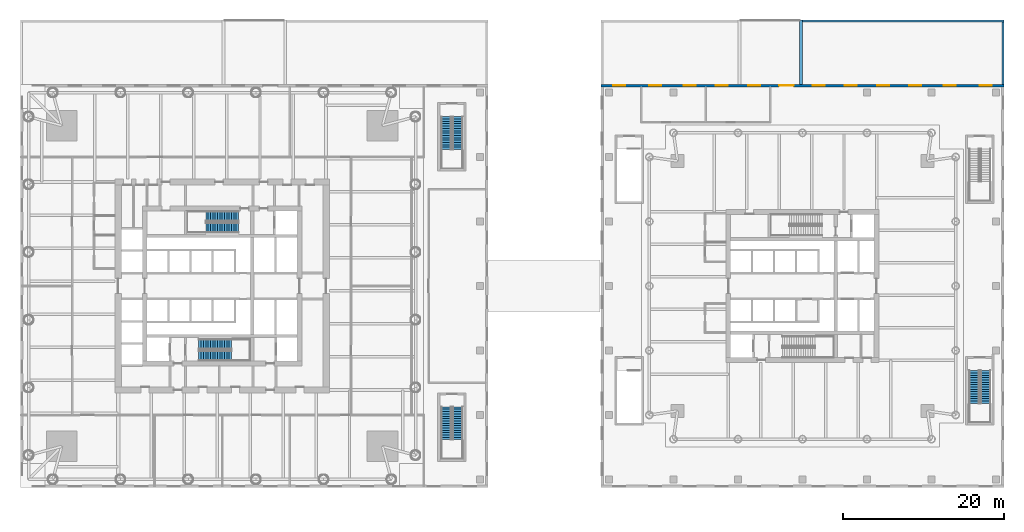
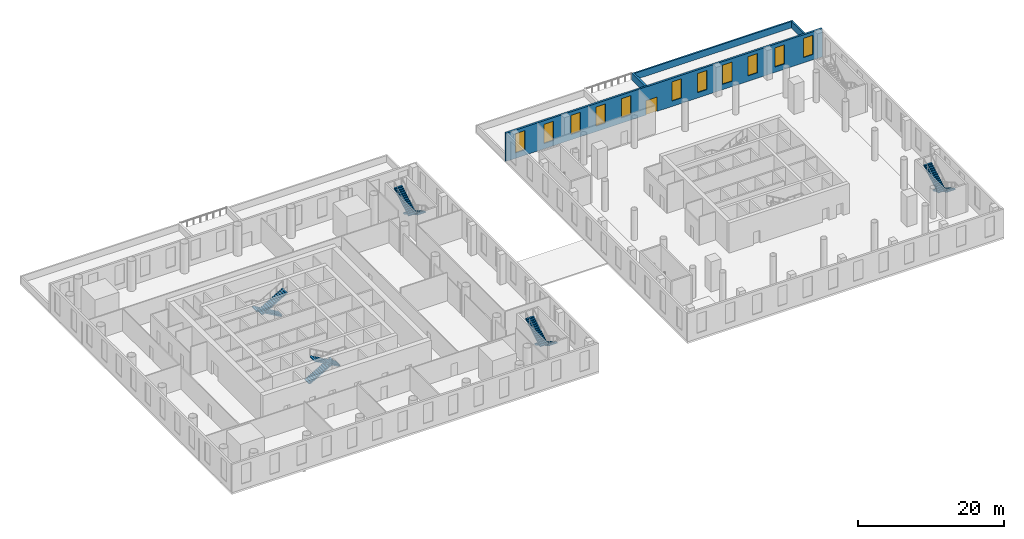
# One storey, part 13 of 16: 11 windows, 10 stair flights, 4 walls, 1 door, 12 openings, 5 elements without a shape of their own.
"""IFC4 building model written with IfcOpenShell, lengths in metres."""

from ifc_helpers import new_model, si_unit, direction, frame, frame_2d, origin, place, context, subcontext, project, spatial, polyline, rectangle, outline, extrude, material, layer, layer_set, type_object, element, fill, aggregate, save


model = new_model("IFC4")

# Units and contexts
model_context = context("Model", 3, precision=1e-05, world=origin(), true_north=direction((0.0, 1.0)))
body_context = subcontext(model_context, "Body", "Model", "MODEL_VIEW")
ifc_project = project(units=[si_unit("LENGTHUNIT", "METRE"), si_unit("AREAUNIT", "SQUARE_METRE"), si_unit("VOLUMEUNIT", "CUBIC_METRE"), si_unit("PLANEANGLEUNIT", "RADIAN"), si_unit("MASSUNIT", "GRAM", prefix="KILO")], contexts=[model_context])

# Site, building, storey
site_placement = place(None, origin())
site = spatial("IfcSite", under=ifc_project, at=site_placement, CompositionType="ELEMENT")
building_placement = place(site_placement, origin())
building = spatial("IfcBuilding", under=site, at=building_placement, Name="Ostroluk Exchange", CompositionType="ELEMENT")
storey_placement = place(building_placement, frame((0.0, 0.0, 16.0)))
storey = spatial("IfcBuildingStorey", under=building, at=storey_placement, Name="L03", CompositionType="ELEMENT", Elevation=16.0)

# Walls
ifc_material_1 = material(Name="Limestone", Category="masonry")
ifc_layer_1 = layer(ifc_material_1, 0.25)
ifc_layer_set_1 = layer_set([ifc_layer_1], Name="Green roof parapet 250")
wall_type_1 = type_object("IfcWallType", Name="Green roof parapet 250", PredefinedType="PARAPET", material=ifc_layer_set_1)
wall_1_placement = place(storey_placement, frame((117.010009765625, 78.875, 0.0), z_axis=(0.0, 0.0, 1.0), x_axis=(1.0, 0.0, 0.0)))
element("IfcWall", 1, at=wall_1_placement, inside=storey, type_object=wall_type_1, Name="Green roof parapet L03 1", PredefinedType="PARAPET", context=body_context, shape_type="SweptSolid", body=[
    extrude(rectangle(XDim=24.989990234375, YDim=0.25, at=frame_2d((12.4951171875, 0.0))), origin(), (0.0, 0.0, 1.0), 1.10009765625),
])
wall_2_placement = place(storey_placement, frame((141.875, 71.010009765625, 0.0), z_axis=(0.0, 0.0, 1.0), x_axis=(0.0, 1.0, 0.0)))
element("IfcWall", 2, at=wall_2_placement, inside=storey, type_object=wall_type_1, Name="Green roof parapet L03 2", PredefinedType="PARAPET", context=body_context, shape_type="SweptSolid", body=[
    extrude(rectangle(XDim=7.739990234375, YDim=0.25, at=frame_2d((3.8701171875, 0.0))), origin(), (0.0, 0.0, 1.0), 1.10009765625),
])

# Wall, openings, windows, door
ifc_material_2 = material(Name="Limestone", Category="masonry")
ifc_layer_2 = layer(ifc_material_2, 0.300048828125)
ifc_layer_set_2 = layer_set([ifc_layer_2], Name="Limestone facade wall 300")
wall_type_2 = type_object("IfcWallType", Name="Limestone facade wall 300", PredefinedType="SOLIDWALL", material=ifc_layer_set_2)
wall_3_placement = place(storey_placement, frame((142.0, 70.85009765625, 0.0), z_axis=(0.0, 0.0, 1.0), x_axis=(-1.0, 0.0, 0.0)))
wall_3 = element("IfcWall", 3, at=wall_3_placement, inside=storey, type_object=wall_type_2, Name="Podium east N wall L03 1a", PredefinedType="SOLIDWALL", context=body_context, shape_type="SweptSolid", body=[
    extrude(rectangle(XDim=50.0, YDim=0.300048828125, at=frame_2d((25.0, 0.0))), origin(), (0.0, 0.0, 1.0), 4.699951171875),
])
opening_1_placement = place(wall_3_placement, frame((1.5, 0.0, 0.89990234375)))
opening_1 = element("IfcOpeningElement", 4, at=opening_1_placement, cuts=wall_3, Name="Opening WN-L2", PredefinedType="OPENING", context=body_context, shape_type="SweptSolid", body=[
    extrude(rectangle(XDim=1.5, YDim=3.199951171875, at=frame_2d((0.75, 1.60009765625))), frame((0.0, 0.159912109375, 0.0), z_axis=(0.0, -1.0, 0.0), x_axis=(1.0, 0.0, 0.0)), (0.0, 0.0, 1.0), 0.320068359375),
])
opening_2_placement = place(wall_3_placement, frame((6.0, 0.0, 0.89990234375)))
opening_2 = element("IfcOpeningElement", 5, at=opening_2_placement, cuts=wall_3, Name="Opening WN-L2", PredefinedType="OPENING", context=body_context, shape_type="SweptSolid", body=[
    extrude(rectangle(XDim=1.5, YDim=3.199951171875, at=frame_2d((0.75, 1.60009765625))), frame((0.0, 0.159912109375, 0.0), z_axis=(0.0, -1.0, 0.0), x_axis=(1.0, 0.0, 0.0)), (0.0, 0.0, 1.0), 0.320068359375),
])
opening_3_placement = place(wall_3_placement, frame((10.25, 0.0, 0.89990234375)))
opening_3 = element("IfcOpeningElement", 6, at=opening_3_placement, cuts=wall_3, Name="Opening WN-L2", PredefinedType="OPENING", context=body_context, shape_type="SweptSolid", body=[
    extrude(rectangle(XDim=1.5, YDim=3.199951171875, at=frame_2d((0.75, 1.60009765625))), frame((0.0, 0.159912109375, 0.0), z_axis=(0.0, -1.0, 0.0), x_axis=(1.0, 0.0, 0.0)), (0.0, 0.0, 1.0), 0.320068359375),
])
opening_4_placement = place(wall_3_placement, frame((14.25, 0.0, 0.89990234375)))
opening_4 = element("IfcOpeningElement", 7, at=opening_4_placement, cuts=wall_3, Name="Opening WN-L2", PredefinedType="OPENING", context=body_context, shape_type="SweptSolid", body=[
    extrude(rectangle(XDim=1.5, YDim=3.199951171875, at=frame_2d((0.75, 1.60009765625))), frame((0.0, 0.159912109375, 0.0), z_axis=(0.0, -1.0, 0.0), x_axis=(1.0, 0.0, 0.0)), (0.0, 0.0, 1.0), 0.320068359375),
])
opening_5_placement = place(wall_3_placement, frame((18.25, 0.0, 0.89990234375)))
opening_5 = element("IfcOpeningElement", 8, at=opening_5_placement, cuts=wall_3, Name="Opening WN-L2", PredefinedType="OPENING", context=body_context, shape_type="SweptSolid", body=[
    extrude(rectangle(XDim=1.5, YDim=3.199951171875, at=frame_2d((0.75, 1.60009765625))), frame((0.0, 0.159912109375, 0.0), z_axis=(0.0, -1.0, 0.0), x_axis=(1.0, 0.0, 0.0)), (0.0, 0.0, 1.0), 0.320068359375),
])
opening_6_placement = place(wall_3_placement, frame((22.25, 0.0, 0.89990234375)))
opening_6 = element("IfcOpeningElement", 9, at=opening_6_placement, cuts=wall_3, Name="Opening WN-L2", PredefinedType="OPENING", context=body_context, shape_type="SweptSolid", body=[
    extrude(rectangle(XDim=1.5, YDim=3.199951171875, at=frame_2d((0.75, 1.60009765625))), frame((0.0, 0.159912109375, 0.0), z_axis=(0.0, -1.0, 0.0), x_axis=(1.0, 0.0, 0.0)), (0.0, 0.0, 1.0), 0.320068359375),
])
opening_7_placement = place(wall_3_placement, frame((26.10009765625, 0.0, 0.0)))
opening_7 = element("IfcOpeningElement", 10, at=opening_7_placement, cuts=wall_3, Name="Opening D-T1", PredefinedType="OPENING", context=body_context, shape_type="SweptSolid", body=[
    extrude(rectangle(XDim=1.800048828125, YDim=2.39990234375, at=frame_2d((0.89990234375, 1.199951171875))), frame((0.0, 0.159912109375, 0.0), z_axis=(0.0, -1.0, 0.0), x_axis=(1.0, 0.0, 0.0)), (0.0, 0.0, 1.0), 0.320068359375),
])
opening_8_placement = place(wall_3_placement, frame((30.25, 0.0, 0.89990234375)))
opening_8 = element("IfcOpeningElement", 11, at=opening_8_placement, cuts=wall_3, Name="Opening WN-L2", PredefinedType="OPENING", context=body_context, shape_type="SweptSolid", body=[
    extrude(rectangle(XDim=1.5, YDim=3.199951171875, at=frame_2d((0.75, 1.60009765625))), frame((0.0, 0.159912109375, 0.0), z_axis=(0.0, -1.0, 0.0), x_axis=(1.0, 0.0, 0.0)), (0.0, 0.0, 1.0), 0.320068359375),
])
opening_9_placement = place(wall_3_placement, frame((34.25, 0.0, 0.89990234375)))
opening_9 = element("IfcOpeningElement", 12, at=opening_9_placement, cuts=wall_3, Name="Opening WN-L2", PredefinedType="OPENING", context=body_context, shape_type="SweptSolid", body=[
    extrude(rectangle(XDim=1.5, YDim=3.199951171875, at=frame_2d((0.75, 1.60009765625))), frame((0.0, 0.159912109375, 0.0), z_axis=(0.0, -1.0, 0.0), x_axis=(1.0, 0.0, 0.0)), (0.0, 0.0, 1.0), 0.320068359375),
])
opening_10_placement = place(wall_3_placement, frame((38.25, 0.0, 0.89990234375)))
opening_10 = element("IfcOpeningElement", 13, at=opening_10_placement, cuts=wall_3, Name="Opening WN-L2", PredefinedType="OPENING", context=body_context, shape_type="SweptSolid", body=[
    extrude(rectangle(XDim=1.5, YDim=3.199951171875, at=frame_2d((0.75, 1.60009765625))), frame((0.0, 0.159912109375, 0.0), z_axis=(0.0, -1.0, 0.0), x_axis=(1.0, 0.0, 0.0)), (0.0, 0.0, 1.0), 0.320068359375),
])
opening_11_placement = place(wall_3_placement, frame((42.5, 0.0, 0.89990234375)))
opening_11 = element("IfcOpeningElement", 14, at=opening_11_placement, cuts=wall_3, Name="Opening WN-L2", PredefinedType="OPENING", context=body_context, shape_type="SweptSolid", body=[
    extrude(rectangle(XDim=1.5, YDim=3.199951171875, at=frame_2d((0.75, 1.60009765625))), frame((0.0, 0.159912109375, 0.0), z_axis=(0.0, -1.0, 0.0), x_axis=(1.0, 0.0, 0.0)), (0.0, 0.0, 1.0), 0.320068359375),
])
opening_12_placement = place(wall_3_placement, frame((47.0, 0.0, 0.89990234375)))
opening_12 = element("IfcOpeningElement", 15, at=opening_12_placement, cuts=wall_3, Name="Opening WN-L2", PredefinedType="OPENING", context=body_context, shape_type="SweptSolid", body=[
    extrude(rectangle(XDim=1.5, YDim=3.199951171875, at=frame_2d((0.75, 1.60009765625))), frame((0.0, 0.159912109375, 0.0), z_axis=(0.0, -1.0, 0.0), x_axis=(1.0, 0.0, 0.0)), (0.0, 0.0, 1.0), 0.320068359375),
])
ifc_material_3 = material(Name="Laminated clear glass", Category="glass")
window_type = type_object("IfcWindowType", Name="Podium lancet window 1500 x 3200", PartitioningType="DOUBLE_PANEL_VERTICAL", PredefinedType="WINDOW", material=ifc_material_3)
window_1_placement = place(opening_1_placement, origin())
window_1 = element("IfcWindow", 16, at=window_1_placement, inside=storey, type_object=window_type, Name="Podium east lancet window N L03 1.1", OverallHeight=3.199951171875, OverallWidth=1.5, PartitioningType="SINGLE_PANEL", PredefinedType="WINDOW", context=body_context, shape_type="SweptSolid", body=[
    extrude(rectangle(XDim=1.5, YDim=3.199951171875, at=frame_2d((0.75, 1.60009765625))), frame((0.0, 0.030029296875, 0.0), z_axis=(0.0, -1.0, 0.0), x_axis=(1.0, 0.0, 0.0)), (0.0, 0.0, 1.0), 0.06005859375),
])
fill(opening_1, window_1)
window_2_placement = place(opening_2_placement, origin())
window_2 = element("IfcWindow", 17, at=window_2_placement, inside=storey, type_object=window_type, Name="Podium east lancet window N L03 1.2", OverallHeight=3.199951171875, OverallWidth=1.5, PartitioningType="SINGLE_PANEL", PredefinedType="WINDOW", context=body_context, shape_type="SweptSolid", body=[
    extrude(rectangle(XDim=1.5, YDim=3.199951171875, at=frame_2d((0.75, 1.60009765625))), frame((0.0, 0.030029296875, 0.0), z_axis=(0.0, -1.0, 0.0), x_axis=(1.0, 0.0, 0.0)), (0.0, 0.0, 1.0), 0.06005859375),
])
fill(opening_2, window_2)
window_3_placement = place(opening_3_placement, origin())
window_3 = element("IfcWindow", 18, at=window_3_placement, inside=storey, type_object=window_type, Name="Podium east lancet window N L03 2.1", OverallHeight=3.199951171875, OverallWidth=1.5, PartitioningType="SINGLE_PANEL", PredefinedType="WINDOW", context=body_context, shape_type="SweptSolid", body=[
    extrude(rectangle(XDim=1.5, YDim=3.199951171875, at=frame_2d((0.75, 1.60009765625))), frame((0.0, 0.030029296875, 0.0), z_axis=(0.0, -1.0, 0.0), x_axis=(1.0, 0.0, 0.0)), (0.0, 0.0, 1.0), 0.06005859375),
])
fill(opening_3, window_3)
window_4_placement = place(opening_4_placement, origin())
window_4 = element("IfcWindow", 19, at=window_4_placement, inside=storey, type_object=window_type, Name="Podium east lancet window N L03 2.2", OverallHeight=3.199951171875, OverallWidth=1.5, PartitioningType="SINGLE_PANEL", PredefinedType="WINDOW", context=body_context, shape_type="SweptSolid", body=[
    extrude(rectangle(XDim=1.5, YDim=3.199951171875, at=frame_2d((0.75, 1.60009765625))), frame((0.0, 0.030029296875, 0.0), z_axis=(0.0, -1.0, 0.0), x_axis=(1.0, 0.0, 0.0)), (0.0, 0.0, 1.0), 0.06005859375),
])
fill(opening_4, window_4)
window_5_placement = place(opening_5_placement, origin())
window_5 = element("IfcWindow", 20, at=window_5_placement, inside=storey, type_object=window_type, Name="Podium east lancet window N L03 3.1", OverallHeight=3.199951171875, OverallWidth=1.5, PartitioningType="SINGLE_PANEL", PredefinedType="WINDOW", context=body_context, shape_type="SweptSolid", body=[
    extrude(rectangle(XDim=1.5, YDim=3.199951171875, at=frame_2d((0.75, 1.60009765625))), frame((0.0, 0.030029296875, 0.0), z_axis=(0.0, -1.0, 0.0), x_axis=(1.0, 0.0, 0.0)), (0.0, 0.0, 1.0), 0.06005859375),
])
fill(opening_5, window_5)
window_6_placement = place(opening_6_placement, origin())
window_6 = element("IfcWindow", 21, at=window_6_placement, inside=storey, type_object=window_type, Name="Podium east lancet window N L03 3.2", OverallHeight=3.199951171875, OverallWidth=1.5, PartitioningType="SINGLE_PANEL", PredefinedType="WINDOW", context=body_context, shape_type="SweptSolid", body=[
    extrude(rectangle(XDim=1.5, YDim=3.199951171875, at=frame_2d((0.75, 1.60009765625))), frame((0.0, 0.030029296875, 0.0), z_axis=(0.0, -1.0, 0.0), x_axis=(1.0, 0.0, 0.0)), (0.0, 0.0, 1.0), 0.06005859375),
])
fill(opening_6, window_6)
window_7_placement = place(opening_8_placement, origin())
window_7 = element("IfcWindow", 22, at=window_7_placement, inside=storey, type_object=window_type, Name="Podium east lancet window N L03 4.2", OverallHeight=3.199951171875, OverallWidth=1.5, PartitioningType="SINGLE_PANEL", PredefinedType="WINDOW", context=body_context, shape_type="SweptSolid", body=[
    extrude(rectangle(XDim=1.5, YDim=3.199951171875, at=frame_2d((0.75, 1.60009765625))), frame((0.0, 0.030029296875, 0.0), z_axis=(0.0, -1.0, 0.0), x_axis=(1.0, 0.0, 0.0)), (0.0, 0.0, 1.0), 0.06005859375),
])
fill(opening_8, window_7)
window_8_placement = place(opening_9_placement, origin())
window_8 = element("IfcWindow", 23, at=window_8_placement, inside=storey, type_object=window_type, Name="Podium east lancet window N L03 5.1", OverallHeight=3.199951171875, OverallWidth=1.5, PartitioningType="SINGLE_PANEL", PredefinedType="WINDOW", context=body_context, shape_type="SweptSolid", body=[
    extrude(rectangle(XDim=1.5, YDim=3.199951171875, at=frame_2d((0.75, 1.60009765625))), frame((0.0, 0.030029296875, 0.0), z_axis=(0.0, -1.0, 0.0), x_axis=(1.0, 0.0, 0.0)), (0.0, 0.0, 1.0), 0.06005859375),
])
fill(opening_9, window_8)
window_9_placement = place(opening_10_placement, origin())
window_9 = element("IfcWindow", 24, at=window_9_placement, inside=storey, type_object=window_type, Name="Podium east lancet window N L03 5.2", OverallHeight=3.199951171875, OverallWidth=1.5, PartitioningType="SINGLE_PANEL", PredefinedType="WINDOW", context=body_context, shape_type="SweptSolid", body=[
    extrude(rectangle(XDim=1.5, YDim=3.199951171875, at=frame_2d((0.75, 1.60009765625))), frame((0.0, 0.030029296875, 0.0), z_axis=(0.0, -1.0, 0.0), x_axis=(1.0, 0.0, 0.0)), (0.0, 0.0, 1.0), 0.06005859375),
])
fill(opening_10, window_9)
window_10_placement = place(opening_11_placement, origin())
window_10 = element("IfcWindow", 25, at=window_10_placement, inside=storey, type_object=window_type, Name="Podium east lancet window N L03 6.1", OverallHeight=3.199951171875, OverallWidth=1.5, PartitioningType="SINGLE_PANEL", PredefinedType="WINDOW", context=body_context, shape_type="SweptSolid", body=[
    extrude(rectangle(XDim=1.5, YDim=3.199951171875, at=frame_2d((0.75, 1.60009765625))), frame((0.0, 0.030029296875, 0.0), z_axis=(0.0, -1.0, 0.0), x_axis=(1.0, 0.0, 0.0)), (0.0, 0.0, 1.0), 0.06005859375),
])
fill(opening_11, window_10)
window_11_placement = place(opening_12_placement, origin())
window_11 = element("IfcWindow", 26, at=window_11_placement, inside=storey, type_object=window_type, Name="Podium east lancet window N L03 6.2", OverallHeight=3.199951171875, OverallWidth=1.5, PartitioningType="SINGLE_PANEL", PredefinedType="WINDOW", context=body_context, shape_type="SweptSolid", body=[
    extrude(rectangle(XDim=1.5, YDim=3.199951171875, at=frame_2d((0.75, 1.60009765625))), frame((0.0, 0.030029296875, 0.0), z_axis=(0.0, -1.0, 0.0), x_axis=(1.0, 0.0, 0.0)), (0.0, 0.0, 1.0), 0.06005859375),
])
fill(opening_12, window_11)
ifc_material_4 = material(Name="Bronze framed glazed door", Category="aluminium")
door_type = type_object("IfcDoorType", Name="Terrace double door 1800 x 2400", OperationType="DOUBLE_DOOR_SINGLE_SWING", PredefinedType="DOOR", material=ifc_material_4)
door_placement = place(opening_7_placement, origin())
door = element("IfcDoor", 27, at=door_placement, inside=storey, type_object=door_type, Name="Podium east terrace door N L03 4", OperationType="DOUBLE_DOOR_SINGLE_SWING", OverallHeight=2.39990234375, OverallWidth=1.800048828125, PredefinedType="DOOR", context=body_context, shape_type="SweptSolid", body=[
    extrude(rectangle(XDim=1.800048828125, YDim=2.39990234375, at=frame_2d((0.89990234375, 1.199951171875))), frame((0.0, 0.02490234375, 0.0), z_axis=(0.0, -1.0, 0.0), x_axis=(1.0, 0.0, 0.0)), (0.0, 0.0, 1.0), 0.050048828125),
])
fill(opening_7, door)

# Wall
ifc_material_5 = material(Name="Limestone", Category="masonry")
ifc_layer_3 = layer(ifc_material_5, 0.35009765625)
ifc_layer_set_3 = layer_set([ifc_layer_3], Name="Planter wall 350")
wall_type_3 = type_object("IfcWallType", Name="Planter wall 350", PredefinedType="PARAPET", material=ifc_layer_set_3)
wall_4_placement = place(storey_placement, frame((116.824951171875, 71.0, 0.0), z_axis=(0.0, 0.0, 1.0), x_axis=(0.0, 1.0, 0.0)))
element("IfcWall", 28, at=wall_4_placement, inside=storey, type_object=wall_type_3, Name="Terrace planter wall L03 2", PredefinedType="PARAPET", context=body_context, shape_type="SweptSolid", body=[
    extrude(rectangle(XDim=8.0, YDim=0.35009765625, at=frame_2d((4.0, 0.0))), origin(), (0.0, 0.0, 1.0), 1.10009765625),
])

# Stair, stair flights
ifc_material_6 = material(Name="Concrete C30/37", Category="concrete")
stair_type = type_object("IfcStairType", Name="Exit stair half turn 5000", PredefinedType="HALF_TURN_STAIR", material=ifc_material_6)
stair_1_placement = place(storey_placement, origin())
stair_1 = element("IfcStair", 29, at=stair_1_placement, inside=storey, type_object=stair_type, Name="Stair T1-S1 L03", PredefinedType="HALF_TURN_STAIR")
ifc_material_7 = material(Name="Concrete C30/37", Category="concrete")
stair_flight_type = type_object("IfcStairFlightType", Name="Stair flight 15 risers 166.7 x 290", PredefinedType="STRAIGHT", material=ifc_material_7)
stair_flight_1_placement = place(storey_placement, frame((42.10009765625, 38.77490234375, 0.0), z_axis=(0.0, 0.0, 1.0), x_axis=(1.0, 0.0, 0.0)))
stair_flight_1 = element("IfcStairFlight", 30, at=stair_flight_1_placement, type_object=stair_flight_type, Name="T1-S1 flight 1", NumberOfRisers=15, NumberOfTreads=14, PredefinedType="STRAIGHT", RiserHeight=0.166666667, TreadLength=0.29, context=body_context, shape_type="SweptSolid", body=[
    extrude(outline(polyline([(0.0, 0.0), (0.0, 0.166748046875), (0.2900390625, 0.166748046875), (0.2900390625, 0.333251953125), (0.580078125, 0.333251953125), (0.580078125, 0.5), (0.8701171875, 0.5), (0.8701171875, 0.666748046875), (1.159912109375, 0.666748046875), (1.159912109375, 0.833251953125), (1.449951171875, 0.833251953125), (1.449951171875, 1.0), (1.739990234375, 1.0), (1.739990234375, 1.166748046875), (2.030029296875, 1.166748046875), (2.030029296875, 1.333251953125), (2.320068359375, 1.333251953125), (2.320068359375, 1.5), (2.610107421875, 1.5), (2.610107421875, 1.666748046875), (2.89990234375, 1.666748046875), (2.89990234375, 1.833251953125), (3.18994140625, 1.833251953125), (3.18994140625, 2.0), (3.47998046875, 2.0), (3.47998046875, 2.166748046875), (3.77001953125, 2.166748046875), (3.77001953125, 2.333251953125), (4.06005859375, 2.333251953125), (4.06005859375, 2.5), (4.06005859375, 2.160400390625), (0.30078125, 0.0), (0.0, 0.0)])), frame((0.0, 0.625, 0.0), z_axis=(0.0, -1.0, 0.0), x_axis=(1.0, 0.0, 0.0)), (0.0, 0.0, 1.0), 1.25),
])
stair_flight_2_placement = place(storey_placement, frame((46.159912109375, 37.324951171875, 2.5), z_axis=(0.0, 0.0, 1.0), x_axis=(-1.0, 0.0, 0.0)))
stair_flight_2 = element("IfcStairFlight", 31, at=stair_flight_2_placement, type_object=stair_flight_type, Name="T1-S1 flight 2", NumberOfRisers=15, NumberOfTreads=14, PredefinedType="STRAIGHT", RiserHeight=0.166666667, TreadLength=0.29, context=body_context, shape_type="SweptSolid", body=[
    extrude(outline(polyline([(0.0, 0.0), (0.0, 0.166748046875), (0.2900390625, 0.166748046875), (0.2900390625, 0.333251953125), (0.580078125, 0.333251953125), (0.580078125, 0.5), (0.8701171875, 0.5), (0.8701171875, 0.666748046875), (1.159912109375, 0.666748046875), (1.159912109375, 0.833251953125), (1.449951171875, 0.833251953125), (1.449951171875, 1.0), (1.739990234375, 1.0), (1.739990234375, 1.166748046875), (2.030029296875, 1.166748046875), (2.030029296875, 1.333251953125), (2.320068359375, 1.333251953125), (2.320068359375, 1.5), (2.610107421875, 1.5), (2.610107421875, 1.666748046875), (2.89990234375, 1.666748046875), (2.89990234375, 1.833251953125), (3.18994140625, 1.833251953125), (3.18994140625, 2.0), (3.47998046875, 2.0), (3.47998046875, 2.166748046875), (3.77001953125, 2.166748046875), (3.77001953125, 2.333251953125), (4.06005859375, 2.333251953125), (4.06005859375, 2.5), (4.06005859375, 2.160400390625), (0.30078125, 0.0), (0.0, 0.0)])), frame((0.0, 0.625, 0.0), z_axis=(0.0, -1.0, 0.0), x_axis=(1.0, 0.0, 0.0)), (0.0, 0.0, 1.0), 1.25),
])
aggregate(stair_1, [stair_flight_1, stair_flight_2])

stair_2_placement = place(storey_placement, origin())
stair_2 = element("IfcStair", 32, at=stair_2_placement, inside=storey, type_object=stair_type, Name="Stair T1-S2 L03", PredefinedType="HALF_TURN_STAIR")
stair_flight_3_placement = place(storey_placement, frame((47.030029296875, 54.675048828125, 0.0), z_axis=(0.0, 0.0, 1.0), x_axis=(-1.0, 0.0, 0.0)))
stair_flight_3 = element("IfcStairFlight", 33, at=stair_flight_3_placement, type_object=stair_flight_type, Name="T1-S2 flight 1", NumberOfRisers=15, NumberOfTreads=14, PredefinedType="STRAIGHT", RiserHeight=0.166666667, TreadLength=0.29, context=body_context, shape_type="SweptSolid", body=[
    extrude(outline(polyline([(0.0, 0.0), (0.0, 0.166748046875), (0.2900390625, 0.166748046875), (0.2900390625, 0.333251953125), (0.580078125, 0.333251953125), (0.580078125, 0.5), (0.8701171875, 0.5), (0.8701171875, 0.666748046875), (1.159912109375, 0.666748046875), (1.159912109375, 0.833251953125), (1.449951171875, 0.833251953125), (1.449951171875, 1.0), (1.739990234375, 1.0), (1.739990234375, 1.166748046875), (2.030029296875, 1.166748046875), (2.030029296875, 1.333251953125), (2.320068359375, 1.333251953125), (2.320068359375, 1.5), (2.610107421875, 1.5), (2.610107421875, 1.666748046875), (2.89990234375, 1.666748046875), (2.89990234375, 1.833251953125), (3.18994140625, 1.833251953125), (3.18994140625, 2.0), (3.47998046875, 2.0), (3.47998046875, 2.166748046875), (3.77001953125, 2.166748046875), (3.77001953125, 2.333251953125), (4.06005859375, 2.333251953125), (4.06005859375, 2.5), (4.06005859375, 2.160400390625), (0.30078125, 0.0), (0.0, 0.0)])), frame((0.0, 0.625, 0.0), z_axis=(0.0, -1.0, 0.0), x_axis=(1.0, 0.0, 0.0)), (0.0, 0.0, 1.0), 1.25),
])
stair_flight_4_placement = place(storey_placement, frame((42.969970703125, 53.22509765625, 2.5), z_axis=(0.0, 0.0, 1.0), x_axis=(1.0, 0.0, 0.0)))
stair_flight_4 = element("IfcStairFlight", 34, at=stair_flight_4_placement, type_object=stair_flight_type, Name="T1-S2 flight 2", NumberOfRisers=15, NumberOfTreads=14, PredefinedType="STRAIGHT", RiserHeight=0.166666667, TreadLength=0.29, context=body_context, shape_type="SweptSolid", body=[
    extrude(outline(polyline([(0.0, 0.0), (0.0, 0.166748046875), (0.2900390625, 0.166748046875), (0.2900390625, 0.333251953125), (0.580078125, 0.333251953125), (0.580078125, 0.5), (0.8701171875, 0.5), (0.8701171875, 0.666748046875), (1.159912109375, 0.666748046875), (1.159912109375, 0.833251953125), (1.449951171875, 0.833251953125), (1.449951171875, 1.0), (1.739990234375, 1.0), (1.739990234375, 1.166748046875), (2.030029296875, 1.166748046875), (2.030029296875, 1.333251953125), (2.320068359375, 1.333251953125), (2.320068359375, 1.5), (2.610107421875, 1.5), (2.610107421875, 1.666748046875), (2.89990234375, 1.666748046875), (2.89990234375, 1.833251953125), (3.18994140625, 1.833251953125), (3.18994140625, 2.0), (3.47998046875, 2.0), (3.47998046875, 2.166748046875), (3.77001953125, 2.166748046875), (3.77001953125, 2.333251953125), (4.06005859375, 2.333251953125), (4.06005859375, 2.5), (4.06005859375, 2.160400390625), (0.30078125, 0.0), (0.0, 0.0)])), frame((0.0, 0.625, 0.0), z_axis=(0.0, -1.0, 0.0), x_axis=(1.0, 0.0, 0.0)), (0.0, 0.0, 1.0), 1.25),
])
aggregate(stair_2, [stair_flight_3, stair_flight_4])

stair_3_placement = place(storey_placement, origin())
stair_3 = element("IfcStair", 35, at=stair_3_placement, inside=storey, type_object=stair_type, Name="Stair PS3 L03", PredefinedType="HALF_TURN_STAIR")
stair_flight_5_placement = place(storey_placement, frame((74.22509765625, 31.0, 0.0), z_axis=(0.0, 0.0, 1.0), x_axis=(0.0, -1.0, 0.0)))
stair_flight_5 = element("IfcStairFlight", 36, at=stair_flight_5_placement, type_object=stair_flight_type, Name="PS3 flight 1", NumberOfRisers=15, NumberOfTreads=14, PredefinedType="STRAIGHT", RiserHeight=0.166666667, TreadLength=0.29, context=body_context, shape_type="SweptSolid", body=[
    extrude(outline(polyline([(0.0, 0.0), (0.0, 0.166748046875), (0.2900390625, 0.166748046875), (0.2900390625, 0.333251953125), (0.580078125, 0.333251953125), (0.580078125, 0.5), (0.8701171875, 0.5), (0.8701171875, 0.666748046875), (1.159912109375, 0.666748046875), (1.159912109375, 0.833251953125), (1.449951171875, 0.833251953125), (1.449951171875, 1.0), (1.739990234375, 1.0), (1.739990234375, 1.166748046875), (2.030029296875, 1.166748046875), (2.030029296875, 1.333251953125), (2.320068359375, 1.333251953125), (2.320068359375, 1.5), (2.610107421875, 1.5), (2.610107421875, 1.666748046875), (2.89990234375, 1.666748046875), (2.89990234375, 1.833251953125), (3.18994140625, 1.833251953125), (3.18994140625, 2.0), (3.47998046875, 2.0), (3.47998046875, 2.166748046875), (3.77001953125, 2.166748046875), (3.77001953125, 2.333251953125), (4.06005859375, 2.333251953125), (4.06005859375, 2.5), (4.06005859375, 2.160400390625), (0.30078125, 0.0), (0.0, 0.0)])), frame((0.0, 0.625, 0.0), z_axis=(0.0, -1.0, 0.0), x_axis=(1.0, 0.0, 0.0)), (0.0, 0.0, 1.0), 1.25),
])
stair_flight_6_placement = place(storey_placement, frame((72.77490234375, 26.93994140625, 2.5), z_axis=(0.0, 0.0, 1.0), x_axis=(0.0, 1.0, 0.0)))
stair_flight_6 = element("IfcStairFlight", 37, at=stair_flight_6_placement, type_object=stair_flight_type, Name="PS3 flight 2", NumberOfRisers=15, NumberOfTreads=14, PredefinedType="STRAIGHT", RiserHeight=0.166666667, TreadLength=0.29, context=body_context, shape_type="SweptSolid", body=[
    extrude(outline(polyline([(0.0, 0.0), (0.0, 0.166748046875), (0.2900390625, 0.166748046875), (0.2900390625, 0.333251953125), (0.580078125, 0.333251953125), (0.580078125, 0.5), (0.8701171875, 0.5), (0.8701171875, 0.666748046875), (1.159912109375, 0.666748046875), (1.159912109375, 0.833251953125), (1.449951171875, 0.833251953125), (1.449951171875, 1.0), (1.739990234375, 1.0), (1.739990234375, 1.166748046875), (2.030029296875, 1.166748046875), (2.030029296875, 1.333251953125), (2.320068359375, 1.333251953125), (2.320068359375, 1.5), (2.610107421875, 1.5), (2.610107421875, 1.666748046875), (2.89990234375, 1.666748046875), (2.89990234375, 1.833251953125), (3.18994140625, 1.833251953125), (3.18994140625, 2.0), (3.47998046875, 2.0), (3.47998046875, 2.166748046875), (3.77001953125, 2.166748046875), (3.77001953125, 2.333251953125), (4.06005859375, 2.333251953125), (4.06005859375, 2.5), (4.06005859375, 2.160400390625), (0.30078125, 0.0), (0.0, 0.0)])), frame((0.0, 0.625, 0.0), z_axis=(0.0, -1.0, 0.0), x_axis=(1.0, 0.0, 0.0)), (0.0, 0.0, 1.0), 1.25),
])
aggregate(stair_3, [stair_flight_5, stair_flight_6])

stair_4_placement = place(storey_placement, origin())
stair_4 = element("IfcStair", 38, at=stair_4_placement, inside=storey, type_object=stair_type, Name="Stair PS4 L03", PredefinedType="HALF_TURN_STAIR")
stair_flight_7_placement = place(storey_placement, frame((74.22509765625, 67.0, 0.0), z_axis=(0.0, 0.0, 1.0), x_axis=(0.0, -1.0, 0.0)))
stair_flight_7 = element("IfcStairFlight", 39, at=stair_flight_7_placement, type_object=stair_flight_type, Name="PS4 flight 1", NumberOfRisers=15, NumberOfTreads=14, PredefinedType="STRAIGHT", RiserHeight=0.166666667, TreadLength=0.29, context=body_context, shape_type="SweptSolid", body=[
    extrude(outline(polyline([(0.0, 0.0), (0.0, 0.166748046875), (0.2900390625, 0.166748046875), (0.2900390625, 0.333251953125), (0.580078125, 0.333251953125), (0.580078125, 0.5), (0.8701171875, 0.5), (0.8701171875, 0.666748046875), (1.159912109375, 0.666748046875), (1.159912109375, 0.833251953125), (1.449951171875, 0.833251953125), (1.449951171875, 1.0), (1.739990234375, 1.0), (1.739990234375, 1.166748046875), (2.030029296875, 1.166748046875), (2.030029296875, 1.333251953125), (2.320068359375, 1.333251953125), (2.320068359375, 1.5), (2.610107421875, 1.5), (2.610107421875, 1.666748046875), (2.89990234375, 1.666748046875), (2.89990234375, 1.833251953125), (3.18994140625, 1.833251953125), (3.18994140625, 2.0), (3.47998046875, 2.0), (3.47998046875, 2.166748046875), (3.77001953125, 2.166748046875), (3.77001953125, 2.333251953125), (4.06005859375, 2.333251953125), (4.06005859375, 2.5), (4.06005859375, 2.160400390625), (0.30078125, 0.0), (0.0, 0.0)])), frame((0.0, 0.625, 0.0), z_axis=(0.0, -1.0, 0.0), x_axis=(1.0, 0.0, 0.0)), (0.0, 0.0, 1.0), 1.25),
])
stair_flight_8_placement = place(storey_placement, frame((72.77490234375, 62.93994140625, 2.5), z_axis=(0.0, 0.0, 1.0), x_axis=(0.0, 1.0, 0.0)))
stair_flight_8 = element("IfcStairFlight", 40, at=stair_flight_8_placement, type_object=stair_flight_type, Name="PS4 flight 2", NumberOfRisers=15, NumberOfTreads=14, PredefinedType="STRAIGHT", RiserHeight=0.166666667, TreadLength=0.29, context=body_context, shape_type="SweptSolid", body=[
    extrude(outline(polyline([(0.0, 0.0), (0.0, 0.166748046875), (0.2900390625, 0.166748046875), (0.2900390625, 0.333251953125), (0.580078125, 0.333251953125), (0.580078125, 0.5), (0.8701171875, 0.5), (0.8701171875, 0.666748046875), (1.159912109375, 0.666748046875), (1.159912109375, 0.833251953125), (1.449951171875, 0.833251953125), (1.449951171875, 1.0), (1.739990234375, 1.0), (1.739990234375, 1.166748046875), (2.030029296875, 1.166748046875), (2.030029296875, 1.333251953125), (2.320068359375, 1.333251953125), (2.320068359375, 1.5), (2.610107421875, 1.5), (2.610107421875, 1.666748046875), (2.89990234375, 1.666748046875), (2.89990234375, 1.833251953125), (3.18994140625, 1.833251953125), (3.18994140625, 2.0), (3.47998046875, 2.0), (3.47998046875, 2.166748046875), (3.77001953125, 2.166748046875), (3.77001953125, 2.333251953125), (4.06005859375, 2.333251953125), (4.06005859375, 2.5), (4.06005859375, 2.160400390625), (0.30078125, 0.0), (0.0, 0.0)])), frame((0.0, 0.625, 0.0), z_axis=(0.0, -1.0, 0.0), x_axis=(1.0, 0.0, 0.0)), (0.0, 0.0, 1.0), 1.25),
])
aggregate(stair_4, [stair_flight_7, stair_flight_8])

stair_5_placement = place(storey_placement, origin())
stair_5 = element("IfcStair", 41, at=stair_5_placement, inside=storey, type_object=stair_type, Name="Stair PS7 L03", PredefinedType="HALF_TURN_STAIR")
stair_flight_9_placement = place(storey_placement, frame((139.72509765625, 35.5, 0.0), z_axis=(0.0, 0.0, 1.0), x_axis=(0.0, -1.0, 0.0)))
stair_flight_9 = element("IfcStairFlight", 42, at=stair_flight_9_placement, type_object=stair_flight_type, Name="PS7 flight 1", NumberOfRisers=15, NumberOfTreads=14, PredefinedType="STRAIGHT", RiserHeight=0.166666667, TreadLength=0.29, context=body_context, shape_type="SweptSolid", body=[
    extrude(outline(polyline([(0.0, 0.0), (0.0, 0.166748046875), (0.2900390625, 0.166748046875), (0.2900390625, 0.333251953125), (0.580078125, 0.333251953125), (0.580078125, 0.5), (0.8701171875, 0.5), (0.8701171875, 0.666748046875), (1.159912109375, 0.666748046875), (1.159912109375, 0.833251953125), (1.449951171875, 0.833251953125), (1.449951171875, 1.0), (1.739990234375, 1.0), (1.739990234375, 1.166748046875), (2.030029296875, 1.166748046875), (2.030029296875, 1.333251953125), (2.320068359375, 1.333251953125), (2.320068359375, 1.5), (2.610107421875, 1.5), (2.610107421875, 1.666748046875), (2.89990234375, 1.666748046875), (2.89990234375, 1.833251953125), (3.18994140625, 1.833251953125), (3.18994140625, 2.0), (3.47998046875, 2.0), (3.47998046875, 2.166748046875), (3.77001953125, 2.166748046875), (3.77001953125, 2.333251953125), (4.06005859375, 2.333251953125), (4.06005859375, 2.5), (4.06005859375, 2.160400390625), (0.30078125, 0.0), (0.0, 0.0)])), frame((0.0, 0.625, 0.0), z_axis=(0.0, -1.0, 0.0), x_axis=(1.0, 0.0, 0.0)), (0.0, 0.0, 1.0), 1.25),
])
stair_flight_10_placement = place(storey_placement, frame((138.27490234375, 31.43994140625, 2.5), z_axis=(0.0, 0.0, 1.0), x_axis=(0.0, 1.0, 0.0)))
stair_flight_10 = element("IfcStairFlight", 43, at=stair_flight_10_placement, type_object=stair_flight_type, Name="PS7 flight 2", NumberOfRisers=15, NumberOfTreads=14, PredefinedType="STRAIGHT", RiserHeight=0.166666667, TreadLength=0.29, context=body_context, shape_type="SweptSolid", body=[
    extrude(outline(polyline([(0.0, 0.0), (0.0, 0.166748046875), (0.2900390625, 0.166748046875), (0.2900390625, 0.333251953125), (0.580078125, 0.333251953125), (0.580078125, 0.5), (0.8701171875, 0.5), (0.8701171875, 0.666748046875), (1.159912109375, 0.666748046875), (1.159912109375, 0.833251953125), (1.449951171875, 0.833251953125), (1.449951171875, 1.0), (1.739990234375, 1.0), (1.739990234375, 1.166748046875), (2.030029296875, 1.166748046875), (2.030029296875, 1.333251953125), (2.320068359375, 1.333251953125), (2.320068359375, 1.5), (2.610107421875, 1.5), (2.610107421875, 1.666748046875), (2.89990234375, 1.666748046875), (2.89990234375, 1.833251953125), (3.18994140625, 1.833251953125), (3.18994140625, 2.0), (3.47998046875, 2.0), (3.47998046875, 2.166748046875), (3.77001953125, 2.166748046875), (3.77001953125, 2.333251953125), (4.06005859375, 2.333251953125), (4.06005859375, 2.5), (4.06005859375, 2.160400390625), (0.30078125, 0.0), (0.0, 0.0)])), frame((0.0, 0.625, 0.0), z_axis=(0.0, -1.0, 0.0), x_axis=(1.0, 0.0, 0.0)), (0.0, 0.0, 1.0), 1.25),
])
aggregate(stair_5, [stair_flight_9, stair_flight_10])

save(model, "model.ifc")
